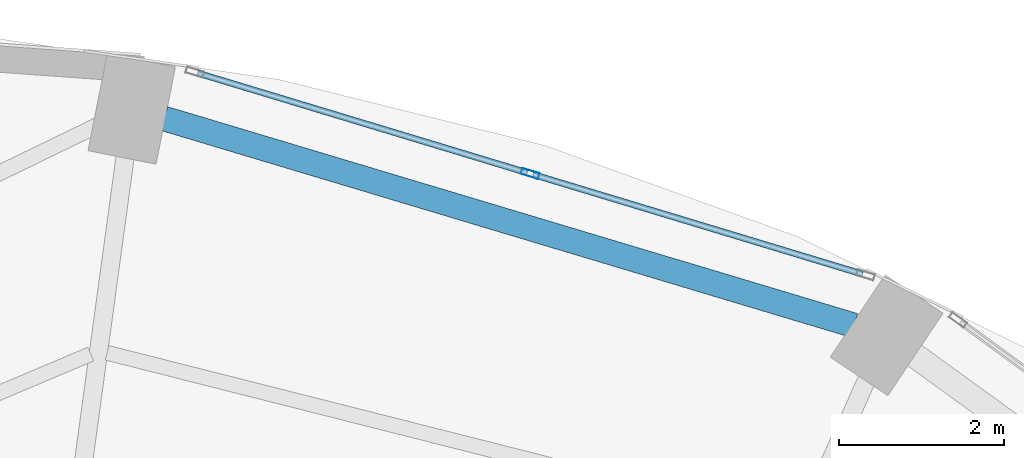
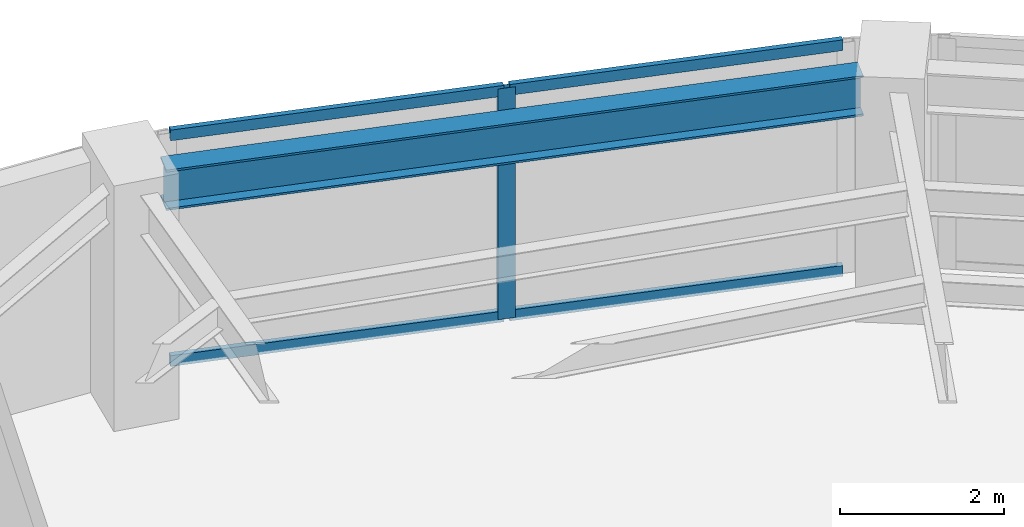
# One storey, part 18 of 24: 5 members, 1 beam, 1 element without a shape of its own.
"""IFC4 building model written with IfcOpenShell, lengths in metres."""

from ifc_helpers import new_model, si_unit, direction, frame, origin, origin_2d, place, context, subcontext, project, spatial, hollow_rectangle, i_section, extrude, material, layer, layer_set, material_profile, profile_set, type_object, element, aggregate, save


model = new_model("IFC4")

# Units and contexts
model_context = context("Model", 3, precision=1e-05, world=origin(), true_north=direction((0.0, 1.0)))
body_context = subcontext(model_context, "Body", "Model", "MODEL_VIEW")
ifc_project = project(units=[si_unit("LENGTHUNIT", "METRE"), si_unit("AREAUNIT", "SQUARE_METRE"), si_unit("VOLUMEUNIT", "CUBIC_METRE"), si_unit("PLANEANGLEUNIT", "RADIAN"), si_unit("MASSUNIT", "GRAM", prefix="KILO")], contexts=[model_context])

# Site, building, storey
site_placement = place(None, origin())
site = spatial("IfcSite", under=ifc_project, at=site_placement, CompositionType="ELEMENT")
building_placement = place(site_placement, origin())
building = spatial("IfcBuilding", under=site, at=building_placement, Name="Lazwardi Medical Tower", CompositionType="ELEMENT")
storey_placement = place(building_placement, frame((0.0, 0.0, 99.98388671875)))
storey = spatial("IfcBuildingStorey", under=building, at=storey_placement, Name="L25", CompositionType="ELEMENT", Elevation=99.98388671875)

# Beam
ifc_material_1 = material(Name="Steel S355", Category="steel")
ifc_material_profile_1 = material_profile(ifc_material_1, i_section(OverallWidth=0.300048828125, OverallDepth=0.60009765625, WebThickness=0.015380859375, FlangeThickness=0.030029296875, at=origin_2d()), Name="HEB 600")
ifc_profile_set_1 = profile_set([ifc_material_profile_1], Name="Steel S355")
beam_type = type_object("IfcBeamType", Name="BM-RB-Z2", PredefinedType="BEAM", material=ifc_profile_set_1)
beam_placement = place(storey_placement, frame((49.69091796875, 45.775390625, 3.128173828125), z_axis=(-0.957879438442, 0.287170648587, 0.0), x_axis=(-0.287170648587, -0.957879438442, 0.0)))
element("IfcBeam", 1, at=beam_placement, inside=storey, type_object=beam_type, Name="Ring beam RB-03 B07 L25", PredefinedType="BEAM", context=body_context, shape_type="SweptSolid", body=[
    extrude(i_section(OverallWidth=0.300048828125, OverallDepth=0.60009765625, WebThickness=0.015380859375, FlangeThickness=0.030029296875, at=origin_2d()), origin(), (0.0, 0.0, 1.0), 8.719970703125),
])

# Curtain wall, members
ifc_material_2 = material(Name="Anodised bronze aluminium and solar control glazing", Category="aluminium")
ifc_layer = layer(ifc_material_2, 0.195068359375)
ifc_layer_set = layer_set([ifc_layer], Name="Anodised bronze aluminium and solar control glazing")
curtain_wall_type = type_object("IfcCurtainWallType", Name="CW-SYS-03", PredefinedType="NOTDEFINED", material=ifc_layer_set)
curtain_wall_placement = place(storey_placement, origin())
curtain_wall = element("IfcCurtainWall", 2, at=curtain_wall_placement, inside=storey, type_object=curtain_wall_type, Name="L25 Unitised bronze curtain wall CW-03", PredefinedType="NOTDEFINED")
ifc_material_3 = material(Name="Anodised bronze aluminium", Category="aluminium")
ifc_material_profile_2 = material_profile(ifc_material_3, hollow_rectangle(XDim=0.074951171875, YDim=0.219970703125, WallThickness=0.00390625, at=origin_2d()), Name="ALU-MULLION 220x75x4")
ifc_profile_set_2 = profile_set([ifc_material_profile_2], Name="Anodised bronze aluminium")
member_type_1 = type_object("IfcMemberType", Name="CW-MUL-01", PredefinedType="MULLION", material=ifc_profile_set_2)
member_1_placement = place(storey_placement, frame((45.769287109375, 47.613037109375, 0.0), z_axis=(0.0, 0.0, 1.0), x_axis=(-0.28937381157, -0.957216170558, 0.0)))
member_1 = element("IfcMember", 3, at=member_1_placement, type_object=member_type_1, Name="CW-03 mullion 2", PredefinedType="MULLION", context=body_context, shape_type="SweptSolid", body=[
    extrude(hollow_rectangle(XDim=0.074951171875, YDim=0.219970703125, WallThickness=0.00390625, at=origin_2d()), origin(), (0.0, 0.0, 1.0), 3.42822265625),
])
ifc_material_profile_3 = material_profile(ifc_material_3, hollow_rectangle(XDim=0.074951171875, YDim=0.159912109375, WallThickness=0.00390625, at=origin_2d()), Name="ALU-TRANSOM 160x75x4")
ifc_profile_set_3 = profile_set([ifc_material_profile_3], Name="Anodised bronze aluminium")
member_type_2 = type_object("IfcMemberType", Name="CW-TRN-01", PredefinedType="USERDEFINED", material=ifc_profile_set_3)
member_2_placement = place(storey_placement, frame((49.79248046875, 46.396728515625, 0.03759765625), z_axis=(-0.957204630929, 0.289411980623, 0.0), x_axis=(-0.289411980623, -0.957204630929, 0.0)))
member_2 = element("IfcMember", 4, at=member_2_placement, type_object=member_type_2, Name="CW-03 transom 1.1", ObjectType="TRANSOM", PredefinedType="USERDEFINED", context=body_context, shape_type="SweptSolid", body=[
    extrude(hollow_rectangle(XDim=0.074951171875, YDim=0.159912109375, WallThickness=0.00390625, at=origin_2d()), origin(), (0.0, 0.0, 1.0), 4.16552734375),
])
member_3_placement = place(storey_placement, frame((49.79248046875, 46.396728515625, 3.390625), z_axis=(-0.957204630929, 0.289411980623, 0.0), x_axis=(-0.289411980623, -0.957204630929, 0.0)))
member_3 = element("IfcMember", 5, at=member_3_placement, type_object=member_type_2, Name="CW-03 transom 1.2", ObjectType="TRANSOM", PredefinedType="USERDEFINED", context=body_context, shape_type="SweptSolid", body=[
    extrude(hollow_rectangle(XDim=0.074951171875, YDim=0.159912109375, WallThickness=0.00390625, at=origin_2d()), origin(), (0.0, 0.0, 1.0), 4.16552734375),
])
member_4_placement = place(storey_placement, frame((45.7333984375, 47.6240234375, 0.03759765625), z_axis=(-0.957220865985, 0.289358279168, 0.0), x_axis=(-0.289358279168, -0.957220865985, 0.0)))
member_4 = element("IfcMember", 6, at=member_4_placement, type_object=member_type_2, Name="CW-03 transom 2.1", ObjectType="TRANSOM", PredefinedType="USERDEFINED", context=body_context, shape_type="SweptSolid", body=[
    extrude(hollow_rectangle(XDim=0.074951171875, YDim=0.159912109375, WallThickness=0.00390625, at=origin_2d()), origin(), (0.0, 0.0, 1.0), 4.16552734375),
])
member_5_placement = place(storey_placement, frame((45.7333984375, 47.6240234375, 3.390625), z_axis=(-0.957220865985, 0.289358279168, 0.0), x_axis=(-0.289358279168, -0.957220865985, 0.0)))
member_5 = element("IfcMember", 7, at=member_5_placement, type_object=member_type_2, Name="CW-03 transom 2.2", ObjectType="TRANSOM", PredefinedType="USERDEFINED", context=body_context, shape_type="SweptSolid", body=[
    extrude(hollow_rectangle(XDim=0.074951171875, YDim=0.159912109375, WallThickness=0.00390625, at=origin_2d()), origin(), (0.0, 0.0, 1.0), 4.16552734375),
])
aggregate(curtain_wall, [member_1, member_2, member_3, member_4, member_5])

save(model, "model.ifc")
